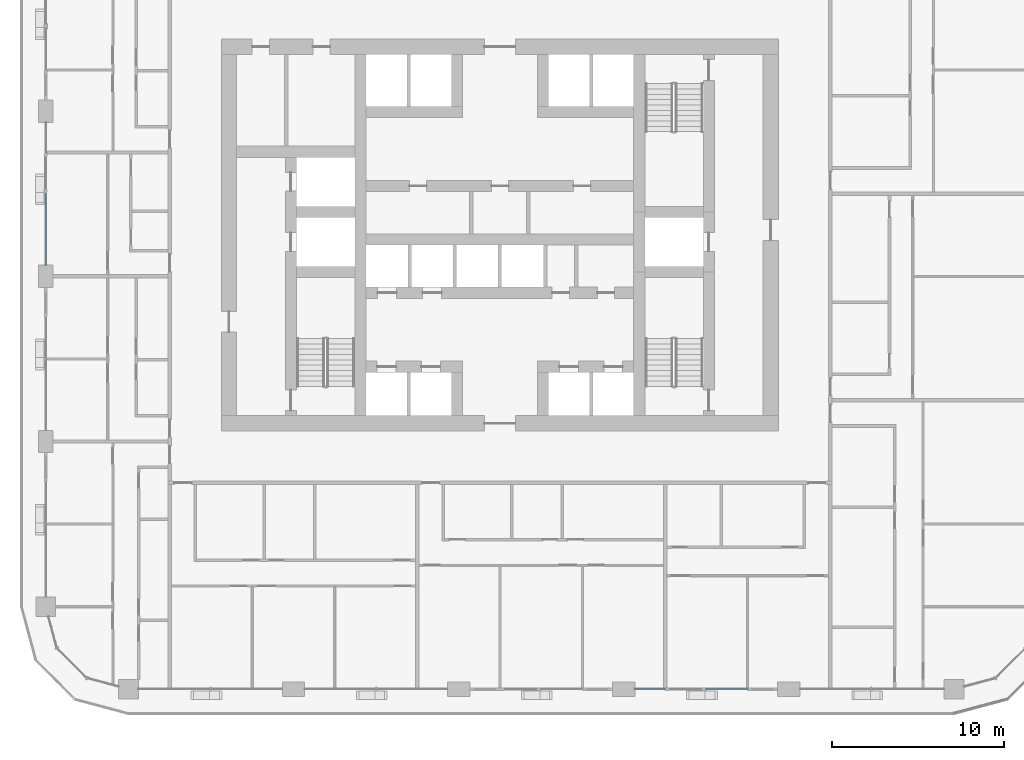
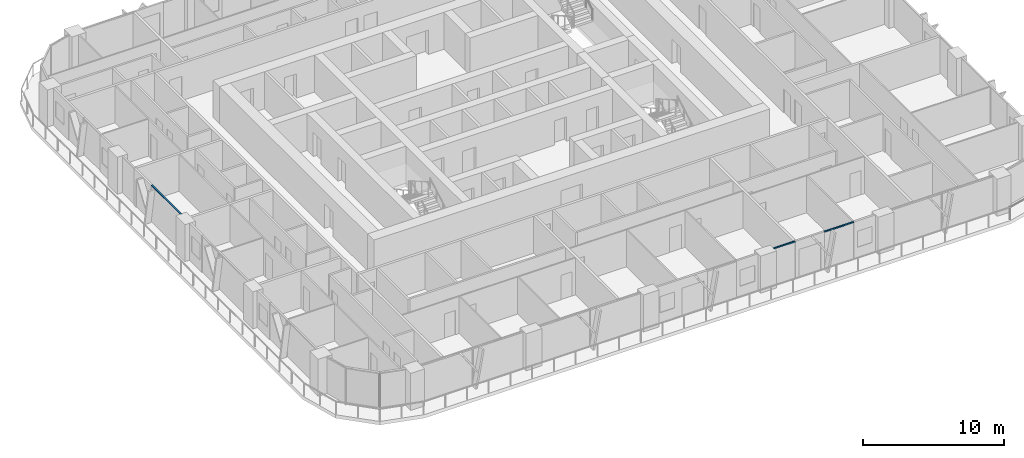
# One storey, part 3 of 22: 3 members, 2 elements without a shape of their own.
"""IFC4 building model written with IfcOpenShell, lengths in metres."""

import ifcopenshell
import ifcopenshell.guid

model = None  # the IFC model being written
_history = None  # IfcOwnerHistory: only IFC2X3 demands one
_inside = {}  # id of a spatial element -> (the spatial element, [elements in it])
_under = {}  # id of a project, library or spatial element -> (it, [spatial elements below it])
_declared = {}  # id of a project -> (the project, [libraries it declares])
_typed = {}  # id of a type object -> (the type object, [elements of that type])
_made_of = {}  # id of a material, layer set ... -> (it, [elements and type objects made of it])


def new_model(schema):
    """Start an empty IFC model of exactly this schema.

    Asked for "IFC4X3", IfcOpenShell would pick the latest addendum, in which some entities
    have other attributes; the version numbers below select the first issue.
    IFC2X3 requires an IfcOwnerHistory on every rooted entity: one is made here for all.
    """
    global model, _history
    if schema == "IFC4X3":
        model = ifcopenshell.file(schema_version=(4, 3, 0, 0))
    else:
        model = ifcopenshell.file(schema=schema)
    _inside.clear()
    _under.clear()
    _declared.clear()
    _typed.clear()
    _made_of.clear()
    _history = None
    if model.schema == "IFC2X3":
        org = make("IfcOrganization", Name="unknown")
        user = make(
            "IfcPersonAndOrganization",
            ThePerson=make("IfcPerson", FamilyName="unknown"),
            TheOrganization=org,
        )
        app = make(
            "IfcApplication",
            ApplicationDeveloper=org,
            Version="unknown",
            ApplicationFullName="unknown",
            ApplicationIdentifier="unknown",
        )
        _history = make(
            "IfcOwnerHistory",
            OwningUser=user,
            OwningApplication=app,
            ChangeAction="ADDED",
            CreationDate=0,
        )
    return model


def make(cls, **values):
    """One entity of the class cls with the attributes given. An attribute that is None is left unset."""
    return model.create_entity(
        cls, **{name: value for name, value in values.items() if value is not None}
    )


def rooted(cls, **values):
    """An entity with a GlobalId (a new one), such as an element, a storey or a relation."""
    return make(cls, GlobalId=ifcopenshell.guid.new(), OwnerHistory=_history, **values)


def si_unit(unit_type, name, prefix=None):
    """IfcSIUnit, for example si_unit("LENGTHUNIT", "METRE", prefix="MILLI")."""
    return make("IfcSIUnit", UnitType=unit_type, Prefix=prefix, Name=name)


def assignment(units):
    """IfcUnitAssignment: the units of a project."""
    return None if units is None else make("IfcUnitAssignment", Units=units)


def point(xyz):
    """IfcCartesianPoint."""
    return None if xyz is None else make("IfcCartesianPoint", Coordinates=xyz)


def direction(xyz):
    """IfcDirection."""
    return None if xyz is None else make("IfcDirection", DirectionRatios=xyz)


def frame(location, z_axis=None, x_axis=None):
    """IfcAxis2Placement3D, a coordinate frame: its origin and axes. An axis left out is left unset."""
    return make(
        "IfcAxis2Placement3D",
        Location=point(location),
        Axis=direction(z_axis),
        RefDirection=direction(x_axis),
    )


def frame_2d(location, x_axis=None):
    """IfcAxis2Placement2D, a coordinate frame in the plane: its origin and x axis."""
    return make(
        "IfcAxis2Placement2D", Location=point(location), RefDirection=direction(x_axis)
    )


def origin():
    """The frame at (0, 0, 0) with its axes left unset."""
    return frame((0.0, 0.0, 0.0))


def origin_2d():
    """The frame at (0, 0) in the plane with its x axis left unset."""
    return frame_2d((0.0, 0.0))


def place(relative_to, where):
    """IfcLocalPlacement: puts the frame where relative to a parent placement (None: the world)."""
    return make(
        "IfcLocalPlacement", PlacementRelTo=relative_to, RelativePlacement=where
    )


def context(
    kind, dimensions, precision=None, world=None, true_north=None, identifier=None
):
    """IfcGeometricRepresentationContext, for example the 3D "Model" context."""
    return make(
        "IfcGeometricRepresentationContext",
        ContextIdentifier=identifier,
        ContextType=kind,
        CoordinateSpaceDimension=dimensions,
        Precision=precision,
        WorldCoordinateSystem=world,
        TrueNorth=true_north,
    )


def subcontext(parent, identifier, kind, view, scale=None):
    """IfcGeometricRepresentationSubContext, for example "Body" below "Model"."""
    return make(
        "IfcGeometricRepresentationSubContext",
        ContextIdentifier=identifier,
        ContextType=kind,
        ParentContext=parent,
        TargetScale=scale,
        TargetView=view,
    )


def project(units=None, contexts=None):
    """IfcProject with its units and contexts."""
    return rooted(
        "IfcProject",
        Name="project",
        RepresentationContexts=contexts,
        UnitsInContext=assignment(units),
    )


def spatial(cls, under=None, at=None, **own):
    """A site, building, storey or space (cls), placed at a placement, below another one or the project."""
    s = rooted(cls, ObjectPlacement=at, **own)
    if under is not None:
        _under.setdefault(under.id(), (under, []))[1].append(s)
    return s


def profile(cls, at=None, kind="AREA", **sizes):
    """A parametric profile (cls). Its sizes go by their IFC names, for example OverallWidth=200.0."""
    return make(cls, ProfileType=kind, Position=at, **sizes)


def rectangle(**sizes):
    """IfcRectangleProfileDef."""
    return profile("IfcRectangleProfileDef", **sizes)


def extrude(swept, where, along, depth):
    """IfcExtrudedAreaSolid: the profile swept, set in the frame where, extruded along a direction by depth."""
    return make(
        "IfcExtrudedAreaSolid",
        SweptArea=swept,
        Position=where,
        ExtrudedDirection=direction(along),
        Depth=depth,
    )


def shape(context_of_items, identifier, shape_type, items):
    """IfcShapeRepresentation: the items that make up one representation, for example the "Body"."""
    return make(
        "IfcShapeRepresentation",
        ContextOfItems=context_of_items,
        RepresentationIdentifier=identifier,
        RepresentationType=shape_type,
        Items=items,
    )


def material(Name=None, Category=None):
    """IfcMaterial."""
    return make("IfcMaterial", Name=Name, Category=Category)


def layer(
    of_material, thickness, ventilated=None, Name=None, Category=None, Priority=None
):
    """IfcMaterialLayer: one layer of a wall or slab, of a material (None: an air gap)."""
    return make(
        "IfcMaterialLayer",
        Material=of_material,
        LayerThickness=thickness,
        IsVentilated=ventilated,
        Name=Name,
        Category=Category,
        Priority=Priority,
    )


def layer_set(layers, Name=None):
    """IfcMaterialLayerSet."""
    return make("IfcMaterialLayerSet", MaterialLayers=layers, LayerSetName=Name)


def material_profile(
    of_material, cross_section, Name=None, Category=None, Priority=None
):
    """IfcMaterialProfile: a cross section and its material."""
    return make(
        "IfcMaterialProfile",
        Name=Name,
        Material=of_material,
        Profile=cross_section,
        Priority=Priority,
        Category=Category,
    )


def profile_set(profiles, Name=None, composite=None):
    """IfcMaterialProfileSet."""
    return make(
        "IfcMaterialProfileSet",
        Name=Name,
        MaterialProfiles=profiles,
        CompositeProfile=composite,
    )


def made_of(thing, what):
    """Note that an element or type object is made of a material, layer set ...; save() writes the relation."""
    if what is not None:
        _made_of.setdefault(what.id(), (what, []))[1].append(thing)
    return thing


def type_object(cls, material=None, **own):
    """A type object (cls), such as IfcWallType, which elements share."""
    return made_of(rooted(cls, **own), material)


def element(
    cls,
    number,
    at=None,
    inside=None,
    cuts=None,
    type_object=None,
    material=None,
    context=None,
    identifier="Body",
    shape_type=None,
    held_by="IfcProductDefinitionShape",
    body=None,
    shapes=None,
    **own,
):
    """One element of the class cls, such as IfcWall. Its Tag is "e" and its number.

    at: its placement. inside: the storey or other place that contains it. cuts: it is an
    opening in that element (IfcRelVoidsElement). A single representation is given by context,
    identifier, shape_type and body (its items); several are given by shapes. held_by: the class
    of the entity that holds the representations. save() writes the other relations.
    """
    e = rooted(cls, Tag="e%d" % number, ObjectPlacement=at, **own)
    if body is not None:
        shapes = [shape(context, identifier, shape_type, body)]
    if shapes is not None:
        e.Representation = make(held_by, Representations=shapes)
    if inside is not None:
        _inside.setdefault(inside.id(), (inside, []))[1].append(e)
    if cuts is not None:
        rooted(
            "IfcRelVoidsElement", RelatingBuildingElement=cuts, RelatedOpeningElement=e
        )
    if type_object is not None:
        _typed.setdefault(type_object.id(), (type_object, []))[1].append(e)
    return made_of(e, material)


def aggregate(whole, parts):
    """IfcRelAggregates: a whole, such as a stair, and the parts it consists of."""
    return rooted("IfcRelAggregates", RelatingObject=whole, RelatedObjects=parts)


def save(model, path):
    """Write the relations noted so far, then the file.

    IfcRelAggregates (storeys below a building ...), IfcRelContainedInSpatialStructure (elements
    in a storey), IfcRelDefinesByType, IfcRelAssociatesMaterial and IfcRelDeclares: one each for
    every whole, place, type object, material and project.
    """
    for whole, parts in _under.values():
        aggregate(whole, parts)
    for where, things in _inside.values():
        rooted(
            "IfcRelContainedInSpatialStructure",
            RelatedElements=things,
            RelatingStructure=where,
        )
    for kind, things in _typed.values():
        rooted("IfcRelDefinesByType", RelatedObjects=things, RelatingType=kind)
    for what, things in _made_of.values():
        rooted("IfcRelAssociatesMaterial", RelatedObjects=things, RelatingMaterial=what)
    for by, libraries in _declared.values():
        rooted("IfcRelDeclares", RelatingContext=by, RelatedDefinitions=libraries)
    model.write(path)


model = new_model("IFC4")

# Units and contexts
model_context = context("Model", 3, precision=1e-05, world=origin(), true_north=direction((0.0, 1.0)))
body_context = subcontext(model_context, "Body", "Model", "MODEL_VIEW")
ifc_project = project(units=[si_unit("LENGTHUNIT", "METRE"), si_unit("AREAUNIT", "SQUARE_METRE"), si_unit("VOLUMEUNIT", "CUBIC_METRE"), si_unit("PLANEANGLEUNIT", "RADIAN"), si_unit("MASSUNIT", "GRAM", prefix="KILO")], contexts=[model_context])

# Site, building, storey
site_placement = place(None, origin())
site = spatial("IfcSite", under=ifc_project, at=site_placement, CompositionType="ELEMENT")
building_placement = place(site_placement, origin())
building = spatial("IfcBuilding", under=site, at=building_placement, Name="Madar Terraces", CompositionType="ELEMENT")
storey_placement = place(building_placement, frame((0.0, 0.0, 66.300048828125)))
storey = spatial("IfcBuildingStorey", under=building, at=storey_placement, Name="L16", CompositionType="ELEMENT", Elevation=66.300048828125)

# Curtain wall, members
ifc_material_1 = material(Name="Glass, ceramic frit dark grey, with black aluminium frame", Category="aluminium")
ifc_layer = layer(ifc_material_1, 0.199951171875)
ifc_layer_set = layer_set([ifc_layer], Name="Facade curtain wall, fritted glass")
curtain_wall_type = type_object("IfcCurtainWallType", Name="Facade curtain wall, fritted glass", PredefinedType="NOTDEFINED", material=ifc_layer_set)
curtain_wall_1_placement = place(storey_placement, origin())
curtain_wall_1 = element("IfcCurtainWall", 1, at=curtain_wall_1_placement, inside=storey, type_object=curtain_wall_type, Name="Outer skin curtain wall south bay 4", PredefinedType="NOTDEFINED")
ifc_material_2 = material(Name="Aluminium, black anodised", Category="aluminium")
ifc_material_profile = material_profile(ifc_material_2, rectangle(XDim=0.1201171875, YDim=0.06005859375, at=origin_2d()), Name="Facade transom 60x120")
ifc_profile_set = profile_set([ifc_material_profile], Name="Aluminium, black anodised")
member_type = type_object("IfcMemberType", Name="Facade transom 60x120", PredefinedType="USERDEFINED", material=ifc_profile_set)
member_1_placement = place(storey_placement, frame((39.050048828125, 0.0, 3.169921875), z_axis=(1.0, 0.0, 0.0), x_axis=(0.0, 1.0, 0.0)))
member_1 = element("IfcMember", 2, at=member_1_placement, type_object=member_type, Name="Transom 1", ObjectType="TRANSOM", PredefinedType="USERDEFINED", context=body_context, shape_type="SweptSolid", body=[
    extrude(rectangle(XDim=0.1201171875, YDim=0.06005859375, at=origin_2d()), origin(), (0.0, 0.0, 1.0), 1.75),
])
member_2_placement = place(storey_placement, frame((43.199951171875, 0.0, 3.169921875), z_axis=(1.0, 0.0, 0.0), x_axis=(0.0, 1.0, 0.0)))
member_2 = element("IfcMember", 3, at=member_2_placement, type_object=member_type, Name="Transom 2", ObjectType="TRANSOM", PredefinedType="USERDEFINED", context=body_context, shape_type="SweptSolid", body=[
    extrude(rectangle(XDim=0.1201171875, YDim=0.06005859375, at=origin_2d()), origin(), (0.0, 0.0, 1.0), 2.400146484375),
])
aggregate(curtain_wall_1, [member_1, member_2])

# Curtain wall, member
curtain_wall_2_placement = place(storey_placement, origin())
curtain_wall_2 = element("IfcCurtainWall", 4, at=curtain_wall_2_placement, inside=storey, type_object=curtain_wall_type, Name="Outer skin curtain wall west bay 2", PredefinedType="NOTDEFINED")
member_3_placement = place(storey_placement, frame((4.800048828125, 28.800048828125, 3.169921875), z_axis=(0.0, -1.0, 0.0), x_axis=(1.0, 0.0, 0.0)))
member_3 = element("IfcMember", 5, at=member_3_placement, type_object=member_type, Name="Transom 2", ObjectType="TRANSOM", PredefinedType="USERDEFINED", context=body_context, shape_type="SweptSolid", body=[
    extrude(rectangle(XDim=0.1201171875, YDim=0.06005859375, at=origin_2d()), origin(), (0.0, 0.0, 1.0), 4.150146484375),
])
aggregate(curtain_wall_2, [member_3])

save(model, "model.ifc")
